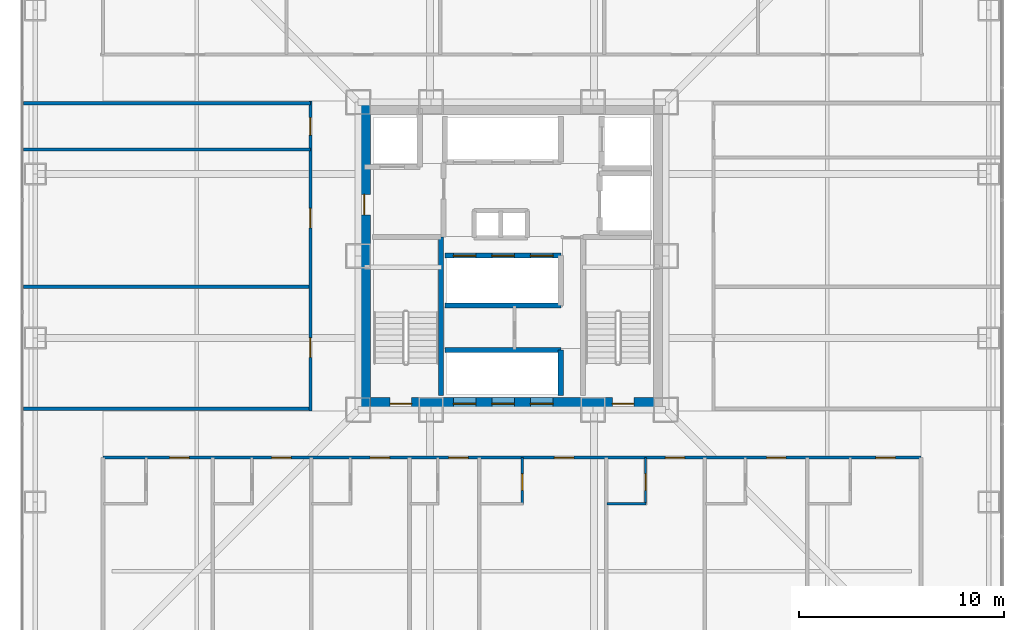
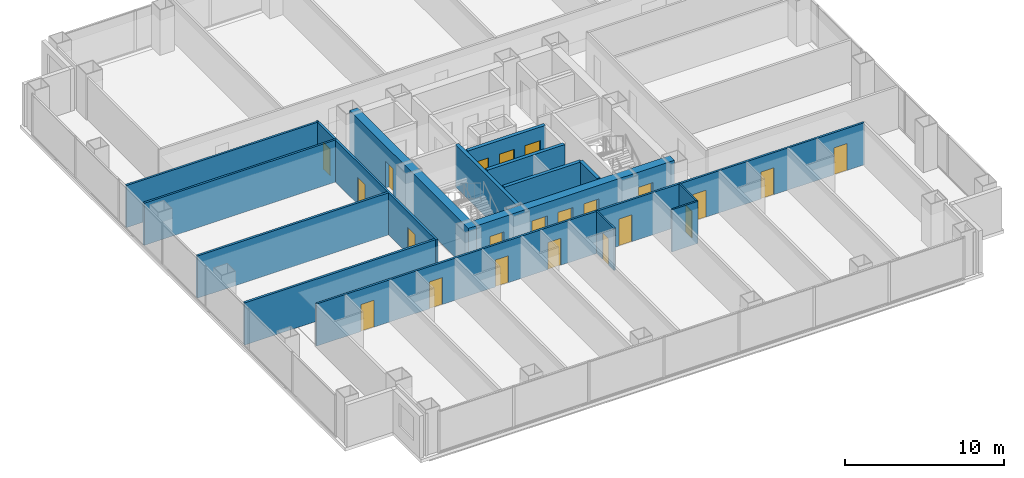
# One storey, part 15 of 20: 22 doors, 16 walls, 22 openings.
"""IFC4 building model written with IfcOpenShell, lengths in metres."""

from ifc_helpers import new_model, si_unit, direction, frame, frame_2d, origin, place, context, subcontext, project, spatial, rectangle, extrude, material, layer, layer_set, type_object, element, fill, save


model = new_model("IFC4")

# Units and contexts
model_context = context("Model", 3, precision=1e-05, world=origin(), true_north=direction((0.0, 1.0)))
body_context = subcontext(model_context, "Body", "Model", "MODEL_VIEW")
ifc_project = project(units=[si_unit("LENGTHUNIT", "METRE"), si_unit("AREAUNIT", "SQUARE_METRE"), si_unit("VOLUMEUNIT", "CUBIC_METRE"), si_unit("PLANEANGLEUNIT", "RADIAN"), si_unit("MASSUNIT", "GRAM", prefix="KILO")], contexts=[model_context])

# Site, building, storey
site_placement = place(None, origin())
site = spatial("IfcSite", under=ifc_project, at=site_placement, CompositionType="ELEMENT")
building_placement = place(site_placement, origin())
building = spatial("IfcBuilding", under=site, at=building_placement, Name="Trevonay Congress Spire", CompositionType="ELEMENT")
storey_placement = place(building_placement, frame((0.0, 0.0, 62.0)))
storey = spatial("IfcBuildingStorey", under=building, at=storey_placement, Name="L15", CompositionType="ELEMENT", Elevation=62.0)

# Wall, opening, door
ifc_material_1 = material(Name="Concrete C40/50", Category="concrete")
ifc_layer_1 = layer(ifc_material_1, 0.1201171875, Name="Concrete C40/50")
ifc_layer_set_1 = layer_set([ifc_layer_1], Name="Concrete C40/50")
wall_type_1 = type_object("IfcWallType", Name="WAL-BATH-120", PredefinedType="PLUMBINGWALL", material=ifc_layer_set_1)
wall_1_placement = place(storey_placement, frame((0.5, -12.080078125, 0.0), z_axis=(0.0, 0.0, 1.0), x_axis=(0.0, 1.0, 0.0)))
wall_1 = element("IfcWall", 1, at=wall_1_placement, inside=storey, type_object=wall_type_1, Name="L15 interior wall WH-L15S-BS5", PredefinedType="PLUMBINGWALL", context=body_context, shape_type="SweptSolid", body=[
    extrude(rectangle(XDim=2.25, YDim=0.1201171875, at=frame_2d((1.125, 0.0))), origin(), (0.0, 0.0, 1.0), 3.25),
])
opening_1_placement = place(wall_1_placement, frame((0.64990234375, 0.0, 0.0)))
opening_1 = element("IfcOpeningElement", 2, at=opening_1_placement, cuts=wall_1, Name="Opening D11", PredefinedType="OPENING", context=body_context, shape_type="SweptSolid", body=[
    extrude(rectangle(XDim=0.800048828125, YDim=2.050048828125, at=frame_2d((0.39990234375, 1.02490234375))), frame((0.0, 0.070068359375, 0.0), z_axis=(0.0, -1.0, 0.0), x_axis=(1.0, 0.0, 0.0)), (0.0, 0.0, 1.0), 0.14013671875),
])
ifc_material_2 = material(Name="Pale Anodised Aluminium EN AW-6063-T6", Category="aluminium")
door_type_1 = type_object("IfcDoorType", Name="DOR-BATH-80", OperationType="NOTDEFINED", PredefinedType="DOOR", material=ifc_material_2)
door_1_placement = place(opening_1_placement, origin())
door_1 = element("IfcDoor", 3, at=door_1_placement, inside=storey, type_object=door_type_1, Name="L15 En-suite Bathroom Door", OperationType="SINGLE_SWING_LEFT", OverallHeight=2.050048828125, OverallWidth=0.800048828125, PredefinedType="DOOR", context=body_context, shape_type="SweptSolid", body=[
    extrude(rectangle(XDim=0.800048828125, YDim=2.050048828125, at=frame_2d((0.39990234375, 1.02490234375))), frame((0.0, 0.02490234375, 0.0), z_axis=(0.0, -1.0, 0.0), x_axis=(1.0, 0.0, 0.0)), (0.0, 0.0, 1.0), 0.050048828125),
])
fill(opening_1, door_1)

wall_2_placement = place(storey_placement, frame((6.512939453125, -12.080078125, 0.0), z_axis=(0.0, 0.0, 1.0), x_axis=(0.0, 1.0, 0.0)))
wall_2 = element("IfcWall", 4, at=wall_2_placement, inside=storey, type_object=wall_type_1, Name="L15 interior wall WH-L15S-BS6", PredefinedType="PLUMBINGWALL", context=body_context, shape_type="SweptSolid", body=[
    extrude(rectangle(XDim=2.25, YDim=0.1201171875, at=frame_2d((1.125, 0.0))), origin(), (0.0, 0.0, 1.0), 3.25),
])
opening_2_placement = place(wall_2_placement, frame((0.64990234375, 0.0, 0.0)))
opening_2 = element("IfcOpeningElement", 5, at=opening_2_placement, cuts=wall_2, Name="Opening D11", PredefinedType="OPENING", context=body_context, shape_type="SweptSolid", body=[
    extrude(rectangle(XDim=0.800048828125, YDim=2.050048828125, at=frame_2d((0.39990234375, 1.02490234375))), frame((0.0, 0.070068359375, 0.0), z_axis=(0.0, -1.0, 0.0), x_axis=(1.0, 0.0, 0.0)), (0.0, 0.0, 1.0), 0.14013671875),
])
door_2_placement = place(opening_2_placement, origin())
door_2 = element("IfcDoor", 6, at=door_2_placement, inside=storey, type_object=door_type_1, Name="L15 En-suite Bathroom Door", OperationType="SINGLE_SWING_RIGHT", OverallHeight=2.050048828125, OverallWidth=0.800048828125, PredefinedType="DOOR", context=body_context, shape_type="SweptSolid", body=[
    extrude(rectangle(XDim=0.800048828125, YDim=2.050048828125, at=frame_2d((0.39990234375, 1.02490234375))), frame((0.0, 0.02490234375, 0.0), z_axis=(0.0, -1.0, 0.0), x_axis=(1.0, 0.0, 0.0)), (0.0, 0.0, 1.0), 0.050048828125),
])
fill(opening_2, door_2)

# Wall
wall_3_placement = place(storey_placement, frame((4.6298828125, -12.080078125, 0.0), z_axis=(0.0, 0.0, 1.0), x_axis=(1.0, 0.0, 0.0)))
element("IfcWall", 7, at=wall_3_placement, inside=storey, type_object=wall_type_1, Name="L15 interior wall WH-L15S-BF6", PredefinedType="PLUMBINGWALL", context=body_context, shape_type="SweptSolid", body=[
    extrude(rectangle(XDim=1.9130859375, YDim=0.1201171875, at=frame_2d((0.95654296875, 0.0))), origin(), (0.0, 0.0, 1.0), 3.25),
])

# Wall, openings, doors
ifc_material_3 = material(Name="Concrete C60/75", Category="concrete")
ifc_layer_2 = layer(ifc_material_3, 0.60009765625, Name="Concrete C60/75")
ifc_layer_set_2 = layer_set([ifc_layer_2], Name="Concrete C60/75")
wall_type_2 = type_object("IfcWallType", Name="WAL-CORE-600", PredefinedType="SHEAR", material=ifc_layer_set_2)
wall_4_placement = place(storey_placement, frame((-7.5, -7.199951171875, 0.0), z_axis=(0.0, 0.0, 1.0), x_axis=(1.0, 0.0, 0.0)))
wall_4 = element("IfcWall", 8, at=wall_4_placement, inside=storey, type_object=wall_type_2, Name="L15 South structural core shear wall", PredefinedType="SHEAR", context=body_context, shape_type="SweptSolid", body=[
    extrude(rectangle(XDim=15.0, YDim=0.60009765625, at=frame_2d((7.5, 0.0))), origin(), (0.0, 0.0, 1.0), 3.25),
])
opening_3_placement = place(wall_4_placement, frame((1.550048828125, 0.0, 0.0)))
opening_3 = element("IfcOpeningElement", 9, at=opening_3_placement, cuts=wall_4, Name="Opening D05", PredefinedType="OPENING", context=body_context, shape_type="SweptSolid", body=[
    extrude(rectangle(XDim=1.050048828125, YDim=2.080078125, at=frame_2d((0.52490234375, 1.0400390625))), frame((0.0, 0.31005859375, 0.0), z_axis=(0.0, -1.0, 0.0), x_axis=(1.0, 0.0, 0.0)), (0.0, 0.0, 1.0), 0.6201171875),
])
opening_4_placement = place(wall_4_placement, frame((12.39990234375, 0.0, 0.0)))
opening_4 = element("IfcOpeningElement", 10, at=opening_4_placement, cuts=wall_4, Name="Opening D05", PredefinedType="OPENING", context=body_context, shape_type="SweptSolid", body=[
    extrude(rectangle(XDim=1.050048828125, YDim=2.080078125, at=frame_2d((0.52490234375, 1.0400390625))), frame((0.0, 0.31005859375, 0.0), z_axis=(0.0, -1.0, 0.0), x_axis=(1.0, 0.0, 0.0)), (0.0, 0.0, 1.0), 0.6201171875),
])
opening_5_placement = place(wall_4_placement, frame((4.639892578125, 0.0, 0.0)))
opening_5 = element("IfcOpeningElement", 11, at=opening_5_placement, cuts=wall_4, Name="Opening LD01", PredefinedType="OPENING", context=body_context, shape_type="SweptSolid", body=[
    extrude(rectangle(XDim=1.10009765625, YDim=2.199951171875, at=frame_2d((0.550048828125, 1.10009765625))), frame((0.0, 0.31005859375, 0.0), z_axis=(0.0, -1.0, 0.0), x_axis=(1.0, 0.0, 0.0)), (0.0, 0.0, 1.0), 0.6201171875),
])
opening_6_placement = place(wall_4_placement, frame((6.52001953125, 0.0, 0.0)))
opening_6 = element("IfcOpeningElement", 12, at=opening_6_placement, cuts=wall_4, Name="Opening LD01", PredefinedType="OPENING", context=body_context, shape_type="SweptSolid", body=[
    extrude(rectangle(XDim=1.10009765625, YDim=2.199951171875, at=frame_2d((0.550048828125, 1.10009765625))), frame((0.0, 0.31005859375, 0.0), z_axis=(0.0, -1.0, 0.0), x_axis=(1.0, 0.0, 0.0)), (0.0, 0.0, 1.0), 0.6201171875),
])
opening_7_placement = place(wall_4_placement, frame((8.39990234375, 0.0, 0.0)))
opening_7 = element("IfcOpeningElement", 13, at=opening_7_placement, cuts=wall_4, Name="Opening LD01", PredefinedType="OPENING", context=body_context, shape_type="SweptSolid", body=[
    extrude(rectangle(XDim=1.10009765625, YDim=2.199951171875, at=frame_2d((0.550048828125, 1.10009765625))), frame((0.0, 0.31005859375, 0.0), z_axis=(0.0, -1.0, 0.0), x_axis=(1.0, 0.0, 0.0)), (0.0, 0.0, 1.0), 0.6201171875),
])
door_type_2 = type_object("IfcDoorType", Name="DOR-LIFT-LD01", OperationType="DOUBLE_DOOR_SLIDING", PredefinedType="DOOR", material=ifc_material_2)
door_3_placement = place(opening_5_placement, origin())
door_3 = element("IfcDoor", 14, at=door_3_placement, inside=storey, type_object=door_type_2, Name="L15 Passenger lift PL-01 landing door", OperationType="DOUBLE_DOOR_SLIDING", OverallHeight=2.199951171875, OverallWidth=1.10009765625, PredefinedType="DOOR", context=body_context, shape_type="SweptSolid", body=[
    extrude(rectangle(XDim=1.10009765625, YDim=2.199951171875, at=frame_2d((0.550048828125, 1.10009765625))), frame((0.0, 0.02490234375, 0.0), z_axis=(0.0, -1.0, 0.0), x_axis=(1.0, 0.0, 0.0)), (0.0, 0.0, 1.0), 0.050048828125),
])
fill(opening_5, door_3)
door_4_placement = place(opening_6_placement, origin())
door_4 = element("IfcDoor", 15, at=door_4_placement, inside=storey, type_object=door_type_2, Name="L15 Passenger lift PL-02 landing door", OperationType="DOUBLE_DOOR_SLIDING", OverallHeight=2.199951171875, OverallWidth=1.10009765625, PredefinedType="DOOR", context=body_context, shape_type="SweptSolid", body=[
    extrude(rectangle(XDim=1.10009765625, YDim=2.199951171875, at=frame_2d((0.550048828125, 1.10009765625))), frame((0.0, 0.02490234375, 0.0), z_axis=(0.0, -1.0, 0.0), x_axis=(1.0, 0.0, 0.0)), (0.0, 0.0, 1.0), 0.050048828125),
])
fill(opening_6, door_4)
door_5_placement = place(opening_7_placement, origin())
door_5 = element("IfcDoor", 16, at=door_5_placement, inside=storey, type_object=door_type_2, Name="L15 Passenger lift PL-03 landing door", OperationType="DOUBLE_DOOR_SLIDING", OverallHeight=2.199951171875, OverallWidth=1.10009765625, PredefinedType="DOOR", context=body_context, shape_type="SweptSolid", body=[
    extrude(rectangle(XDim=1.10009765625, YDim=2.199951171875, at=frame_2d((0.550048828125, 1.10009765625))), frame((0.0, 0.02490234375, 0.0), z_axis=(0.0, -1.0, 0.0), x_axis=(1.0, 0.0, 0.0)), (0.0, 0.0, 1.0), 0.050048828125),
])
fill(opening_7, door_5)
ifc_material_4 = material(Name="Steel ASTM A572 Grade 50", Category="steel")
door_type_3 = type_object("IfcDoorType", Name="DOR-STAIR-110", OperationType="NOTDEFINED", PredefinedType="DOOR", material=ifc_material_4)
door_6_placement = place(opening_3_placement, origin())
door_6 = element("IfcDoor", 17, at=door_6_placement, inside=storey, type_object=door_type_3, Name="L15 Protected Stair ST-1 Door", OperationType="SINGLE_SWING_LEFT", OverallHeight=2.080078125, OverallWidth=1.050048828125, PredefinedType="DOOR", context=body_context, shape_type="SweptSolid", body=[
    extrude(rectangle(XDim=1.050048828125, YDim=2.080078125, at=frame_2d((0.52490234375, 1.0400390625))), frame((0.0, 0.02490234375, 0.0), z_axis=(0.0, -1.0, 0.0), x_axis=(1.0, 0.0, 0.0)), (0.0, 0.0, 1.0), 0.050048828125),
])
fill(opening_3, door_6)
door_7_placement = place(opening_4_placement, origin())
door_7 = element("IfcDoor", 18, at=door_7_placement, inside=storey, type_object=door_type_3, Name="L15 Protected Stair ST-2 Door", OperationType="SINGLE_SWING_RIGHT", OverallHeight=2.080078125, OverallWidth=1.050048828125, PredefinedType="DOOR", context=body_context, shape_type="SweptSolid", body=[
    extrude(rectangle(XDim=1.050048828125, YDim=2.080078125, at=frame_2d((0.52490234375, 1.0400390625))), frame((0.0, 0.02490234375, 0.0), z_axis=(0.0, -1.0, 0.0), x_axis=(1.0, 0.0, 0.0)), (0.0, 0.0, 1.0), 0.050048828125),
])
fill(opening_4, door_7)

# Wall, opening, door
wall_5_placement = place(storey_placement, frame((-7.199951171875, -7.5, 0.0), z_axis=(0.0, 0.0, 1.0), x_axis=(0.0, 1.0, 0.0)))
wall_5 = element("IfcWall", 19, at=wall_5_placement, inside=storey, type_object=wall_type_2, Name="L15 West structural core shear wall", PredefinedType="SHEAR", context=body_context, shape_type="SweptSolid", body=[
    extrude(rectangle(XDim=15.0, YDim=0.60009765625, at=frame_2d((7.5, 0.0))), origin(), (0.0, 0.0, 1.0), 3.25),
])
opening_8_placement = place(wall_5_placement, frame((9.5, 0.0, 0.0)))
opening_8 = element("IfcOpeningElement", 20, at=opening_8_placement, cuts=wall_5, Name="Opening D06", PredefinedType="OPENING", context=body_context, shape_type="SweptSolid", body=[
    extrude(rectangle(XDim=1.0, YDim=2.080078125, at=frame_2d((0.5, 1.0400390625))), frame((0.0, 0.31005859375, 0.0), z_axis=(0.0, -1.0, 0.0), x_axis=(1.0, 0.0, 0.0)), (0.0, 0.0, 1.0), 0.6201171875),
])
door_type_4 = type_object("IfcDoorType", Name="DOR-FIRE-100", OperationType="NOTDEFINED", PredefinedType="DOOR", material=ifc_material_4)
door_8_placement = place(opening_8_placement, origin())
door_8 = element("IfcDoor", 21, at=door_8_placement, inside=storey, type_object=door_type_4, Name="L15 Firefighting Lift Lobby West Corridor Door", OperationType="SINGLE_SWING_LEFT", OverallHeight=2.080078125, OverallWidth=1.0, PredefinedType="DOOR", context=body_context, shape_type="SweptSolid", body=[
    extrude(rectangle(XDim=1.0, YDim=2.080078125, at=frame_2d((0.5, 1.0400390625))), frame((0.0, 0.02490234375, 0.0), z_axis=(0.0, -1.0, 0.0), x_axis=(1.0, 0.0, 0.0)), (0.0, 0.0, 1.0), 0.050048828125),
])
fill(opening_8, door_8)

# Wall, openings, doors
ifc_layer_3 = layer(ifc_material_1, 0.14990234375, Name="Concrete C40/50")
ifc_layer_set_3 = layer_set([ifc_layer_3], Name="Concrete C40/50")
wall_type_3 = type_object("IfcWallType", Name="WAL-CORR-150", PredefinedType="PARTITIONING", material=ifc_layer_set_3)
wall_6_placement = place(storey_placement, frame((-19.949951171875, -9.830078125, 0.0), z_axis=(0.0, 0.0, 1.0), x_axis=(1.0, 0.0, 0.0)))
wall_6 = element("IfcWall", 22, at=wall_6_placement, inside=storey, type_object=wall_type_3, Name="L15 interior wall WH-L15S-COR", PredefinedType="PARTITIONING", context=body_context, shape_type="SweptSolid", body=[
    extrude(rectangle(XDim=39.89990234375, YDim=0.14990234375, at=frame_2d((19.949951171875, 0.0))), origin(), (0.0, 0.0, 1.0), 3.25),
])
opening_9_placement = place(wall_6_placement, frame((3.2451171875, 0.0, 0.0)))
opening_9 = element("IfcOpeningElement", 23, at=opening_9_placement, cuts=wall_6, Name="Opening D08", PredefinedType="OPENING", context=body_context, shape_type="SweptSolid", body=[
    extrude(rectangle(XDim=0.949951171875, YDim=2.080078125, at=frame_2d((0.47509765625, 1.0400390625))), frame((0.0, 0.0849609375, 0.0), z_axis=(0.0, -1.0, 0.0), x_axis=(1.0, 0.0, 0.0)), (0.0, 0.0, 1.0), 0.169921875),
])
opening_10_placement = place(wall_6_placement, frame((8.2265625, 0.0, 0.0)))
opening_10 = element("IfcOpeningElement", 24, at=opening_10_placement, cuts=wall_6, Name="Opening D08", PredefinedType="OPENING", context=body_context, shape_type="SweptSolid", body=[
    extrude(rectangle(XDim=0.949951171875, YDim=2.080078125, at=frame_2d((0.47509765625, 1.0400390625))), frame((0.0, 0.0849609375, 0.0), z_axis=(0.0, -1.0, 0.0), x_axis=(1.0, 0.0, 0.0)), (0.0, 0.0, 1.0), 0.169921875),
])
opening_11_placement = place(wall_6_placement, frame((13.026611328125, 0.0, 0.0)))
opening_11 = element("IfcOpeningElement", 25, at=opening_11_placement, cuts=wall_6, Name="Opening D08", PredefinedType="OPENING", context=body_context, shape_type="SweptSolid", body=[
    extrude(rectangle(XDim=0.949951171875, YDim=2.080078125, at=frame_2d((0.47509765625, 1.0400390625))), frame((0.0, 0.0849609375, 0.0), z_axis=(0.0, -1.0, 0.0), x_axis=(1.0, 0.0, 0.0)), (0.0, 0.0, 1.0), 0.169921875),
])
opening_12_placement = place(wall_6_placement, frame((16.860595703125, 0.0, 0.0)))
opening_12 = element("IfcOpeningElement", 26, at=opening_12_placement, cuts=wall_6, Name="Opening D08", PredefinedType="OPENING", context=body_context, shape_type="SweptSolid", body=[
    extrude(rectangle(XDim=0.949951171875, YDim=2.080078125, at=frame_2d((0.47509765625, 1.0400390625))), frame((0.0, 0.0849609375, 0.0), z_axis=(0.0, -1.0, 0.0), x_axis=(1.0, 0.0, 0.0)), (0.0, 0.0, 1.0), 0.169921875),
])
opening_13_placement = place(wall_6_placement, frame((22.02001953125, 0.0, 0.0)))
opening_13 = element("IfcOpeningElement", 27, at=opening_13_placement, cuts=wall_6, Name="Opening D08", PredefinedType="OPENING", context=body_context, shape_type="SweptSolid", body=[
    extrude(rectangle(XDim=0.949951171875, YDim=2.080078125, at=frame_2d((0.47509765625, 1.0400390625))), frame((0.0, 0.0849609375, 0.0), z_axis=(0.0, -1.0, 0.0), x_axis=(1.0, 0.0, 0.0)), (0.0, 0.0, 1.0), 0.169921875),
])
opening_14_placement = place(wall_6_placement, frame((27.426513671875, 0.0, 0.0)))
opening_14 = element("IfcOpeningElement", 28, at=opening_14_placement, cuts=wall_6, Name="Opening D08", PredefinedType="OPENING", context=body_context, shape_type="SweptSolid", body=[
    extrude(rectangle(XDim=0.949951171875, YDim=2.080078125, at=frame_2d((0.47509765625, 1.0400390625))), frame((0.0, 0.0849609375, 0.0), z_axis=(0.0, -1.0, 0.0), x_axis=(1.0, 0.0, 0.0)), (0.0, 0.0, 1.0), 0.169921875),
])
opening_15_placement = place(wall_6_placement, frame((32.364501953125, 0.0, 0.0)))
opening_15 = element("IfcOpeningElement", 29, at=opening_15_placement, cuts=wall_6, Name="Opening D08", PredefinedType="OPENING", context=body_context, shape_type="SweptSolid", body=[
    extrude(rectangle(XDim=0.949951171875, YDim=2.080078125, at=frame_2d((0.47509765625, 1.0400390625))), frame((0.0, 0.0849609375, 0.0), z_axis=(0.0, -1.0, 0.0), x_axis=(1.0, 0.0, 0.0)), (0.0, 0.0, 1.0), 0.169921875),
])
opening_16_placement = place(wall_6_placement, frame((37.695068359375, 0.0, 0.0)))
opening_16 = element("IfcOpeningElement", 30, at=opening_16_placement, cuts=wall_6, Name="Opening D08", PredefinedType="OPENING", context=body_context, shape_type="SweptSolid", body=[
    extrude(rectangle(XDim=0.949951171875, YDim=2.080078125, at=frame_2d((0.47509765625, 1.0400390625))), frame((0.0, 0.0849609375, 0.0), z_axis=(0.0, -1.0, 0.0), x_axis=(1.0, 0.0, 0.0)), (0.0, 0.0, 1.0), 0.169921875),
])
door_type_5 = type_object("IfcDoorType", Name="DOR-SUITE-95", OperationType="NOTDEFINED", PredefinedType="DOOR", material=ifc_material_2)
door_9_placement = place(opening_9_placement, origin())
door_9 = element("IfcDoor", 31, at=door_9_placement, inside=storey, type_object=door_type_5, Name="L15 Hotel Guest Room Entrance Door", OperationType="SINGLE_SWING_LEFT", OverallHeight=2.080078125, OverallWidth=0.949951171875, PredefinedType="DOOR", context=body_context, shape_type="SweptSolid", body=[
    extrude(rectangle(XDim=0.949951171875, YDim=2.080078125, at=frame_2d((0.47509765625, 1.0400390625))), frame((0.0, 0.02490234375, 0.0), z_axis=(0.0, -1.0, 0.0), x_axis=(1.0, 0.0, 0.0)), (0.0, 0.0, 1.0), 0.050048828125),
])
fill(opening_9, door_9)
door_10_placement = place(opening_10_placement, origin())
door_10 = element("IfcDoor", 32, at=door_10_placement, inside=storey, type_object=door_type_5, Name="L15 Corner Hotel Suite Entrance Door", OperationType="SINGLE_SWING_RIGHT", OverallHeight=2.080078125, OverallWidth=0.949951171875, PredefinedType="DOOR", context=body_context, shape_type="SweptSolid", body=[
    extrude(rectangle(XDim=0.949951171875, YDim=2.080078125, at=frame_2d((0.47509765625, 1.0400390625))), frame((0.0, 0.02490234375, 0.0), z_axis=(0.0, -1.0, 0.0), x_axis=(1.0, 0.0, 0.0)), (0.0, 0.0, 1.0), 0.050048828125),
])
fill(opening_10, door_10)
door_11_placement = place(opening_11_placement, origin())
door_11 = element("IfcDoor", 33, at=door_11_placement, inside=storey, type_object=door_type_5, Name="L15 Hotel Guest Room Entrance Door", OperationType="SINGLE_SWING_LEFT", OverallHeight=2.080078125, OverallWidth=0.949951171875, PredefinedType="DOOR", context=body_context, shape_type="SweptSolid", body=[
    extrude(rectangle(XDim=0.949951171875, YDim=2.080078125, at=frame_2d((0.47509765625, 1.0400390625))), frame((0.0, 0.02490234375, 0.0), z_axis=(0.0, -1.0, 0.0), x_axis=(1.0, 0.0, 0.0)), (0.0, 0.0, 1.0), 0.050048828125),
])
fill(opening_11, door_11)
door_12_placement = place(opening_12_placement, origin())
door_12 = element("IfcDoor", 34, at=door_12_placement, inside=storey, type_object=door_type_5, Name="L15 Hotel Guest Room Entrance Door", OperationType="SINGLE_SWING_RIGHT", OverallHeight=2.080078125, OverallWidth=0.949951171875, PredefinedType="DOOR", context=body_context, shape_type="SweptSolid", body=[
    extrude(rectangle(XDim=0.949951171875, YDim=2.080078125, at=frame_2d((0.47509765625, 1.0400390625))), frame((0.0, 0.02490234375, 0.0), z_axis=(0.0, -1.0, 0.0), x_axis=(1.0, 0.0, 0.0)), (0.0, 0.0, 1.0), 0.050048828125),
])
fill(opening_12, door_12)
door_13_placement = place(opening_13_placement, origin())
door_13 = element("IfcDoor", 35, at=door_13_placement, inside=storey, type_object=door_type_5, Name="L15 Hotel Guest Room Entrance Door", OperationType="SINGLE_SWING_LEFT", OverallHeight=2.080078125, OverallWidth=0.949951171875, PredefinedType="DOOR", context=body_context, shape_type="SweptSolid", body=[
    extrude(rectangle(XDim=0.949951171875, YDim=2.080078125, at=frame_2d((0.47509765625, 1.0400390625))), frame((0.0, 0.02490234375, 0.0), z_axis=(0.0, -1.0, 0.0), x_axis=(1.0, 0.0, 0.0)), (0.0, 0.0, 1.0), 0.050048828125),
])
fill(opening_13, door_13)
door_14_placement = place(opening_14_placement, origin())
door_14 = element("IfcDoor", 36, at=door_14_placement, inside=storey, type_object=door_type_5, Name="L15 Hotel Guest Room Entrance Door", OperationType="SINGLE_SWING_RIGHT", OverallHeight=2.080078125, OverallWidth=0.949951171875, PredefinedType="DOOR", context=body_context, shape_type="SweptSolid", body=[
    extrude(rectangle(XDim=0.949951171875, YDim=2.080078125, at=frame_2d((0.47509765625, 1.0400390625))), frame((0.0, 0.02490234375, 0.0), z_axis=(0.0, -1.0, 0.0), x_axis=(1.0, 0.0, 0.0)), (0.0, 0.0, 1.0), 0.050048828125),
])
fill(opening_14, door_14)
door_15_placement = place(opening_15_placement, origin())
door_15 = element("IfcDoor", 37, at=door_15_placement, inside=storey, type_object=door_type_5, Name="L15 Corner Hotel Suite Entrance Door", OperationType="SINGLE_SWING_LEFT", OverallHeight=2.080078125, OverallWidth=0.949951171875, PredefinedType="DOOR", context=body_context, shape_type="SweptSolid", body=[
    extrude(rectangle(XDim=0.949951171875, YDim=2.080078125, at=frame_2d((0.47509765625, 1.0400390625))), frame((0.0, 0.02490234375, 0.0), z_axis=(0.0, -1.0, 0.0), x_axis=(1.0, 0.0, 0.0)), (0.0, 0.0, 1.0), 0.050048828125),
])
fill(opening_15, door_15)
door_16_placement = place(opening_16_placement, origin())
door_16 = element("IfcDoor", 38, at=door_16_placement, inside=storey, type_object=door_type_5, Name="L15 Hotel Guest Room Entrance Door", OperationType="SINGLE_SWING_RIGHT", OverallHeight=2.080078125, OverallWidth=0.949951171875, PredefinedType="DOOR", context=body_context, shape_type="SweptSolid", body=[
    extrude(rectangle(XDim=0.949951171875, YDim=2.080078125, at=frame_2d((0.47509765625, 1.0400390625))), frame((0.0, 0.02490234375, 0.0), z_axis=(0.0, -1.0, 0.0), x_axis=(1.0, 0.0, 0.0)), (0.0, 0.0, 1.0), 0.050048828125),
])
fill(opening_16, door_16)

wall_7_placement = place(storey_placement, frame((-9.830078125, -7.570068359375, 0.0), z_axis=(0.0, 0.0, 1.0), x_axis=(0.0, 1.0, 0.0)))
wall_7 = element("IfcWall", 39, at=wall_7_placement, inside=storey, type_object=wall_type_3, Name="L15 interior wall WP-L15W-COR", PredefinedType="PARTITIONING", context=body_context, shape_type="SweptSolid", body=[
    extrude(rectangle(XDim=15.14013671875, YDim=0.14990234375, at=frame_2d((7.570068359375, 0.0))), origin(), (0.0, 0.0, 1.0), 3.25),
])
opening_17_placement = place(wall_7_placement, frame((2.6201171875, 0.0, 0.0)))
opening_17 = element("IfcOpeningElement", 40, at=opening_17_placement, cuts=wall_7, Name="Opening D07", PredefinedType="OPENING", context=body_context, shape_type="SweptSolid", body=[
    extrude(rectangle(XDim=0.949951171875, YDim=2.06005859375, at=frame_2d((0.47509765625, 1.030029296875))), frame((0.0, 0.0849609375, 0.0), z_axis=(0.0, -1.0, 0.0), x_axis=(1.0, 0.0, 0.0)), (0.0, 0.0, 1.0), 0.169921875),
])
opening_18_placement = place(wall_7_placement, frame((8.945068359375, 0.0, 0.0)))
opening_18 = element("IfcOpeningElement", 41, at=opening_18_placement, cuts=wall_7, Name="Opening D07", PredefinedType="OPENING", context=body_context, shape_type="SweptSolid", body=[
    extrude(rectangle(XDim=0.949951171875, YDim=2.06005859375, at=frame_2d((0.47509765625, 1.030029296875))), frame((0.0, 0.0849609375, 0.0), z_axis=(0.0, -1.0, 0.0), x_axis=(1.0, 0.0, 0.0)), (0.0, 0.0, 1.0), 0.169921875),
])
opening_19_placement = place(wall_7_placement, frame((13.469970703125, 0.0, 0.0)))
opening_19 = element("IfcOpeningElement", 42, at=opening_19_placement, cuts=wall_7, Name="Opening D10", PredefinedType="OPENING", context=body_context, shape_type="SweptSolid", body=[
    extrude(rectangle(XDim=0.85009765625, YDim=2.050048828125, at=frame_2d((0.425048828125, 1.02490234375))), frame((0.0, 0.0849609375, 0.0), z_axis=(0.0, -1.0, 0.0), x_axis=(1.0, 0.0, 0.0)), (0.0, 0.0, 1.0), 0.169921875),
])
door_type_6 = type_object("IfcDoorType", Name="DOR-OFFICE-95", OperationType="NOTDEFINED", PredefinedType="DOOR", material=ifc_material_2)
door_17_placement = place(opening_17_placement, origin())
door_17 = element("IfcDoor", 43, at=door_17_placement, inside=storey, type_object=door_type_6, Name="L15 Club Concierge Office Door", OperationType="SINGLE_SWING_LEFT", OverallHeight=2.06005859375, OverallWidth=0.949951171875, PredefinedType="DOOR", context=body_context, shape_type="SweptSolid", body=[
    extrude(rectangle(XDim=0.949951171875, YDim=2.06005859375, at=frame_2d((0.47509765625, 1.030029296875))), frame((0.0, 0.02490234375, 0.0), z_axis=(0.0, -1.0, 0.0), x_axis=(1.0, 0.0, 0.0)), (0.0, 0.0, 1.0), 0.050048828125),
])
fill(opening_17, door_17)
door_18_placement = place(opening_18_placement, origin())
door_18 = element("IfcDoor", 44, at=door_18_placement, inside=storey, type_object=door_type_6, Name="L15 Protocol Briefing Office Door", OperationType="SINGLE_SWING_RIGHT", OverallHeight=2.06005859375, OverallWidth=0.949951171875, PredefinedType="DOOR", context=body_context, shape_type="SweptSolid", body=[
    extrude(rectangle(XDim=0.949951171875, YDim=2.06005859375, at=frame_2d((0.47509765625, 1.030029296875))), frame((0.0, 0.02490234375, 0.0), z_axis=(0.0, -1.0, 0.0), x_axis=(1.0, 0.0, 0.0)), (0.0, 0.0, 1.0), 0.050048828125),
])
fill(opening_18, door_18)
door_type_7 = type_object("IfcDoorType", Name="DOR-WC-85", OperationType="NOTDEFINED", PredefinedType="DOOR", material=ifc_material_2)
door_19_placement = place(opening_19_placement, origin())
door_19 = element("IfcDoor", 45, at=door_19_placement, inside=storey, type_object=door_type_7, Name="L15 Accessible WC Door", OperationType="SINGLE_SWING_LEFT", OverallHeight=2.050048828125, OverallWidth=0.85009765625, PredefinedType="DOOR", context=body_context, shape_type="SweptSolid", body=[
    extrude(rectangle(XDim=0.85009765625, YDim=2.050048828125, at=frame_2d((0.425048828125, 1.02490234375))), frame((0.0, 0.02490234375, 0.0), z_axis=(0.0, -1.0, 0.0), x_axis=(1.0, 0.0, 0.0)), (0.0, 0.0, 1.0), 0.050048828125),
])
fill(opening_19, door_19)

# Walls
ifc_layer_4 = layer(ifc_material_1, 0.14990234375, Name="Concrete C40/50")
ifc_layer_set_4 = layer_set([ifc_layer_4], Name="Concrete C40/50")
wall_type_4 = type_object("IfcWallType", Name="WAL-PART-150", PredefinedType="PARTITIONING", material=ifc_layer_set_4)
for number, where, z_axis, x_axis, name in (
    (46, (-23.820068359375, 5.199951171875, 0.0), (0.0, 0.0, 1.0), (1.0, 0.0, 0.0), "L15 interior wall WP-L15W-DIV3"),
    (47, (-23.820068359375, 7.449951171875, 0.0), (0.0, 0.0, 1.0), (1.0, 0.0, 0.0), "L15 interior wall WP-L15W-DIV4"),
):
    element("IfcWall", number, at=place(storey_placement, frame(where, z_axis=z_axis, x_axis=x_axis)), inside=storey, type_object=wall_type_4, Name=name, PredefinedType="PARTITIONING", context=body_context, shape_type="SweptSolid", body=[
        extrude(rectangle(XDim=13.989990234375, YDim=0.14990234375, at=frame_2d((6.9951171875, 0.0))), origin(), (0.0, 0.0, 1.0), 3.25),
    ])
ifc_layer_5 = layer(ifc_material_1, 0.25, Name="Concrete C40/50")
ifc_layer_set_5 = layer_set([ifc_layer_5], Name="Concrete C40/50")
wall_type_5 = type_object("IfcWallType", Name="WAL-SHAFT-250", PredefinedType="SHEAR", material=ifc_layer_set_5)
wall_8_placement = place(storey_placement, frame((-3.260009765625, -4.580078125, 0.0), z_axis=(0.0, 0.0, 1.0), x_axis=(1.0, 0.0, 0.0)))
element("IfcWall", 48, at=wall_8_placement, inside=storey, type_object=wall_type_5, Name="L15 interior shaft wall WSH-L15-B1-N", PredefinedType="SHEAR", context=body_context, shape_type="SweptSolid", body=[
    extrude(rectangle(XDim=5.639892578125, YDim=0.25, at=frame_2d((2.81982421875, 0.0))), origin(), (0.0, 0.0, 1.0), 3.25),
])
wall_9_placement = place(storey_placement, frame((2.3798828125, -6.800048828125, 0.0), z_axis=(0.0, 0.0, 1.0), x_axis=(0.0, 1.0, 0.0)))
element("IfcWall", 49, at=wall_9_placement, inside=storey, type_object=wall_type_5, Name="L15 interior shaft wall WSH-L15-B1-E", PredefinedType="SHEAR", context=body_context, shape_type="SweptSolid", body=[
    extrude(rectangle(XDim=2.219970703125, YDim=0.25, at=frame_2d((1.10986328125, 0.0))), origin(), (0.0, 0.0, 1.0), 3.25),
])

# Wall, openings, doors
wall_10_placement = place(storey_placement, frame((-3.260009765625, 0.02001953125, 0.0), z_axis=(0.0, 0.0, 1.0), x_axis=(1.0, 0.0, 0.0)))
wall_10 = element("IfcWall", 50, at=wall_10_placement, inside=storey, type_object=wall_type_5, Name="L15 interior shaft wall WSH-L15-B2-N", PredefinedType="SHEAR", context=body_context, shape_type="SweptSolid", body=[
    extrude(rectangle(XDim=5.639892578125, YDim=0.25, at=frame_2d((2.81982421875, 0.0))), origin(), (0.0, 0.0, 1.0), 3.25),
])
opening_20_placement = place(wall_10_placement, frame((0.39990234375, 0.0, 0.0)))
opening_20 = element("IfcOpeningElement", 51, at=opening_20_placement, cuts=wall_10, Name="Opening LD02", PredefinedType="OPENING", context=body_context, shape_type="SweptSolid", body=[
    extrude(rectangle(XDim=1.10009765625, YDim=2.199951171875, at=frame_2d((0.550048828125, 1.10009765625))), frame((0.0, 0.135009765625, 0.0), z_axis=(0.0, -1.0, 0.0), x_axis=(1.0, 0.0, 0.0)), (0.0, 0.0, 1.0), 0.27001953125),
])
opening_21_placement = place(wall_10_placement, frame((2.280029296875, 0.0, 0.0)))
opening_21 = element("IfcOpeningElement", 52, at=opening_21_placement, cuts=wall_10, Name="Opening LD02", PredefinedType="OPENING", context=body_context, shape_type="SweptSolid", body=[
    extrude(rectangle(XDim=1.10009765625, YDim=2.199951171875, at=frame_2d((0.550048828125, 1.10009765625))), frame((0.0, 0.135009765625, 0.0), z_axis=(0.0, -1.0, 0.0), x_axis=(1.0, 0.0, 0.0)), (0.0, 0.0, 1.0), 0.27001953125),
])
opening_22_placement = place(wall_10_placement, frame((4.159912109375, 0.0, 0.0)))
opening_22 = element("IfcOpeningElement", 53, at=opening_22_placement, cuts=wall_10, Name="Opening LD02", PredefinedType="OPENING", context=body_context, shape_type="SweptSolid", body=[
    extrude(rectangle(XDim=1.10009765625, YDim=2.199951171875, at=frame_2d((0.550048828125, 1.10009765625))), frame((0.0, 0.135009765625, 0.0), z_axis=(0.0, -1.0, 0.0), x_axis=(1.0, 0.0, 0.0)), (0.0, 0.0, 1.0), 0.27001953125),
])
door_type_8 = type_object("IfcDoorType", Name="DOR-LIFT-LD02", OperationType="DOUBLE_DOOR_SLIDING", PredefinedType="DOOR", material=ifc_material_2)
door_20_placement = place(opening_20_placement, origin())
door_20 = element("IfcDoor", 54, at=door_20_placement, inside=storey, type_object=door_type_8, Name="L15 Passenger lift PL-04 landing door", OperationType="DOUBLE_DOOR_SLIDING", OverallHeight=2.199951171875, OverallWidth=1.10009765625, PredefinedType="DOOR", context=body_context, shape_type="SweptSolid", body=[
    extrude(rectangle(XDim=1.10009765625, YDim=2.199951171875, at=frame_2d((0.550048828125, 1.10009765625))), frame((0.0, 0.02490234375, 0.0), z_axis=(0.0, -1.0, 0.0), x_axis=(1.0, 0.0, 0.0)), (0.0, 0.0, 1.0), 0.050048828125),
])
fill(opening_20, door_20)
door_21_placement = place(opening_21_placement, origin())
door_21 = element("IfcDoor", 55, at=door_21_placement, inside=storey, type_object=door_type_8, Name="L15 Passenger lift PL-05 landing door", OperationType="DOUBLE_DOOR_SLIDING", OverallHeight=2.199951171875, OverallWidth=1.10009765625, PredefinedType="DOOR", context=body_context, shape_type="SweptSolid", body=[
    extrude(rectangle(XDim=1.10009765625, YDim=2.199951171875, at=frame_2d((0.550048828125, 1.10009765625))), frame((0.0, 0.02490234375, 0.0), z_axis=(0.0, -1.0, 0.0), x_axis=(1.0, 0.0, 0.0)), (0.0, 0.0, 1.0), 0.050048828125),
])
fill(opening_21, door_21)
door_22_placement = place(opening_22_placement, origin())
door_22 = element("IfcDoor", 56, at=door_22_placement, inside=storey, type_object=door_type_8, Name="L15 Passenger lift PL-06 landing door", OperationType="DOUBLE_DOOR_SLIDING", OverallHeight=2.199951171875, OverallWidth=1.10009765625, PredefinedType="DOOR", context=body_context, shape_type="SweptSolid", body=[
    extrude(rectangle(XDim=1.10009765625, YDim=2.199951171875, at=frame_2d((0.550048828125, 1.10009765625))), frame((0.0, 0.02490234375, 0.0), z_axis=(0.0, -1.0, 0.0), x_axis=(1.0, 0.0, 0.0)), (0.0, 0.0, 1.0), 0.050048828125),
])
fill(opening_22, door_22)

# Walls
wall_11_placement = place(storey_placement, frame((-3.260009765625, -2.419921875, 0.0), z_axis=(0.0, 0.0, 1.0), x_axis=(1.0, 0.0, 0.0)))
element("IfcWall", 57, at=wall_11_placement, inside=storey, type_object=wall_type_5, Name="L15 interior shaft wall WSH-L15-B2-S", PredefinedType="SHEAR", context=body_context, shape_type="SweptSolid", body=[
    extrude(rectangle(XDim=5.639892578125, YDim=0.25, at=frame_2d((2.81982421875, 0.0))), origin(), (0.0, 0.0, 1.0), 3.25),
])
ifc_layer_6 = layer(ifc_material_1, 0.25, Name="Concrete C40/50")
ifc_layer_set_6 = layer_set([ifc_layer_6], Name="Concrete C40/50")
wall_type_6 = type_object("IfcWallType", Name="WAL-SHAFT-LB-250", PredefinedType="SHEAR", material=ifc_layer_set_6)
wall_12_placement = place(storey_placement, frame((-3.469970703125, -6.800048828125, 0.0), z_axis=(0.0, 0.0, 1.0), x_axis=(0.0, 1.0, 0.0)))
element("IfcWall", 58, at=wall_12_placement, inside=storey, type_object=wall_type_6, Name="L15 interior shaft wall WSH-L15-ST1-E", PredefinedType="SHEAR", context=body_context, shape_type="SweptSolid", body=[
    extrude(rectangle(XDim=7.719970703125, YDim=0.25, at=frame_2d((3.85986328125, 0.0))), origin(), (0.0, 0.0, 1.0), 3.25),
])
ifc_layer_7 = layer(ifc_material_1, 0.1650390625, Name="Concrete C40/50")
ifc_layer_set_7 = layer_set([ifc_layer_7], Name="Concrete C40/50")
wall_type_7 = type_object("IfcWallType", Name="WAL-WET-165", PredefinedType="PLUMBINGWALL", material=ifc_layer_set_7)
for number, where, z_axis, x_axis, name in (
    (59, (-23.820068359375, -7.449951171875, 0.0), (0.0, 0.0, 1.0), (1.0, 0.0, 0.0), "L15 interior wall WP-L15W-DIV1"),
    (60, (-23.820068359375, -1.5, 0.0), (0.0, 0.0, 1.0), (1.0, 0.0, 0.0), "L15 interior wall WP-L15W-DIV2"),
):
    element("IfcWall", number, at=place(storey_placement, frame(where, z_axis=z_axis, x_axis=x_axis)), inside=storey, type_object=wall_type_7, Name=name, PredefinedType="PLUMBINGWALL", context=body_context, shape_type="SweptSolid", body=[
        extrude(rectangle(XDim=13.989990234375, YDim=0.1650390625, at=frame_2d((6.9951171875, 0.0))), origin(), (0.0, 0.0, 1.0), 3.25),
    ])

save(model, "model.ifc")
